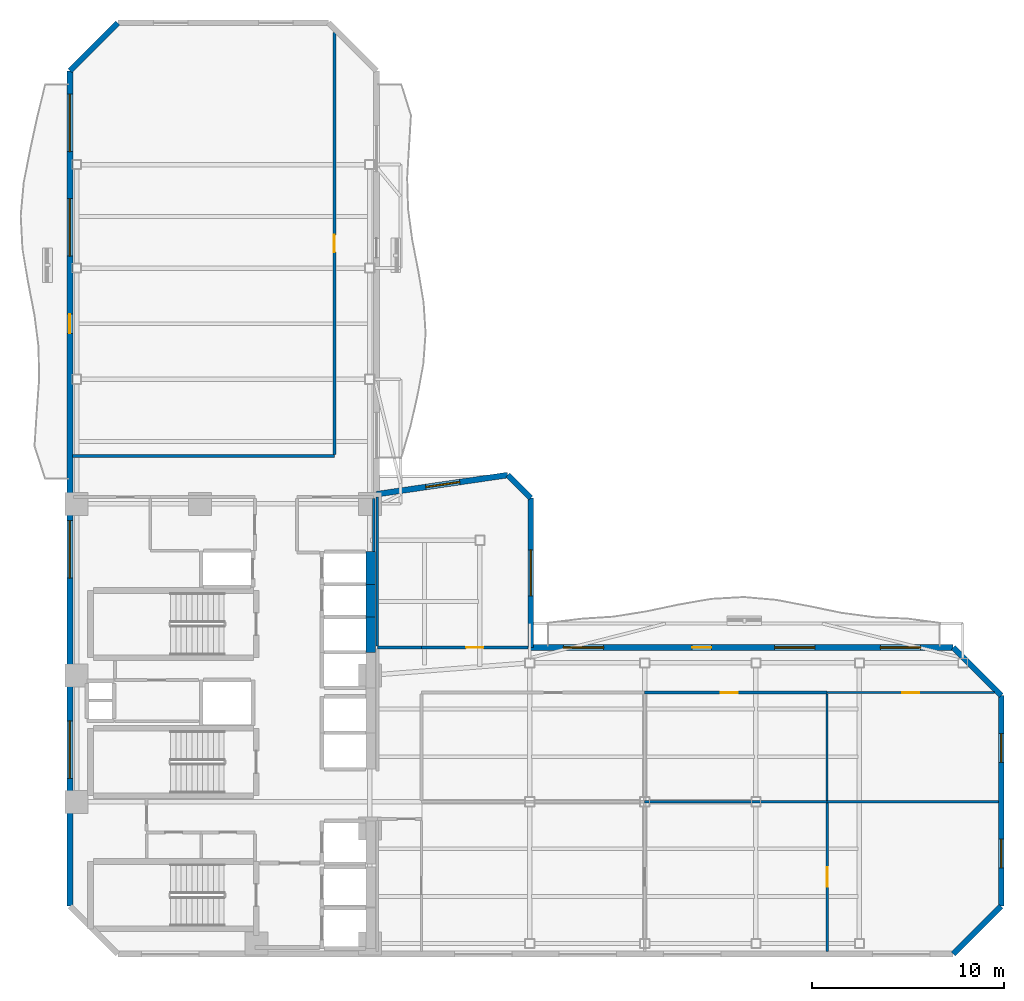
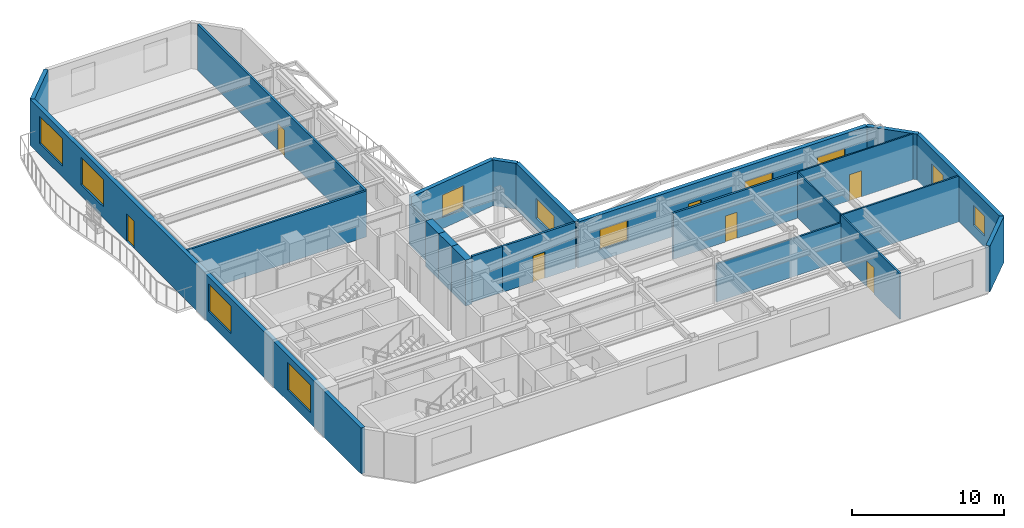
# One storey, part 5 of 9: 24 walls, 11 windows, 7 doors, 18 openings.
"""IFC4 building model written with IfcOpenShell, lengths in metres."""

from ifc_helpers import new_model, si_unit, direction, frame, frame_2d, origin, place, context, subcontext, project, spatial, rectangle, extrude, material, layer, layer_set, type_object, element, fill, save


model = new_model("IFC4")

# Units and contexts
model_context = context("Model", 3, precision=1e-05, world=origin(), true_north=direction((0.0, 1.0)))
body_context = subcontext(model_context, "Body", "Model", "MODEL_VIEW")
ifc_project = project(units=[si_unit("LENGTHUNIT", "METRE"), si_unit("AREAUNIT", "SQUARE_METRE"), si_unit("VOLUMEUNIT", "CUBIC_METRE"), si_unit("PLANEANGLEUNIT", "RADIAN"), si_unit("MASSUNIT", "GRAM", prefix="KILO")], contexts=[model_context])

# Site, building, storey
site_placement = place(None, origin())
site = spatial("IfcSite", under=ifc_project, at=site_placement, CompositionType="ELEMENT")
building_placement = place(site_placement, origin())
building = spatial("IfcBuilding", under=site, at=building_placement, Name="Mawjaban Terraces University", CompositionType="ELEMENT")
storey_placement = place(building_placement, frame((0.0, 0.0, 146.300048828125)))
storey = spatial("IfcBuildingStorey", under=building, at=storey_placement, Name="L35", CompositionType="ELEMENT", Elevation=146.300048828125)

# Walls
ifc_material_1 = material(Name="Concrete C60/75", Category="concrete")
ifc_layer_1 = layer(ifc_material_1, 0.5)
ifc_layer_set_1 = layer_set([ifc_layer_1], Name="Concrete C60/75")
wall_type_1 = type_object("IfcWallType", Name="CoreShearWall_500", PredefinedType="SHEAR", material=ifc_layer_set_1)
wall_1_placement = place(storey_placement, frame((37.699951171875, 15.75, 0.0), z_axis=(0.0, 0.0, 1.0), x_axis=(0.0, 1.0, 0.0)))
element("IfcWall", 1, at=wall_1_placement, inside=storey, type_object=wall_type_1, Name="L35 Lift OL-2 Hoistway Wall East", PredefinedType="SHEAR", context=body_context, shape_type="SweptSolid", body=[
    extrude(rectangle(XDim=1.85009765625, YDim=0.5, at=frame_2d((0.925048828125, 0.0))), origin(), (0.0, 0.0, 1.0), 3.68994140625),
])
for number, where, z_axis, x_axis, name in (
    (2, (37.699951171875, 17.60009765625, 0.0), (0.0, 0.0, 1.0), (0.0, 1.0, 0.0), "L35 Lift PL-M1 Hoistway Wall East"),
    (3, (37.699951171875, 19.300048828125, 0.0), (0.0, 0.0, 1.0), (0.0, 1.0, 0.0), "L35 Lift PL-M2 Hoistway Wall East"),
):
    element("IfcWall", number, at=place(storey_placement, frame(where, z_axis=z_axis, x_axis=x_axis)), inside=storey, type_object=wall_type_1, Name=name, PredefinedType="SHEAR", context=body_context, shape_type="SweptSolid", body=[
        extrude(rectangle(XDim=1.699951171875, YDim=0.5, at=frame_2d((0.85009765625, 0.0))), origin(), (0.0, 0.0, 1.0), 3.68994140625),
    ])
ifc_material_2 = material(Name="Fire-rated gypsum board on steel stud", Category="steel")
ifc_layer_2 = layer(ifc_material_2, 0.159912109375)
ifc_layer_set_2 = layer_set([ifc_layer_2], Name="Fire-rated gypsum board on steel stud")
wall_type_2 = type_object("IfcWallType", Name="CorridorPartition_160", PredefinedType="PARTITIONING", material=ifc_layer_set_2)
wall_2_placement = place(storey_placement, frame((35.800048828125, 26.0, 0.0), z_axis=(0.0, 0.0, 1.0), x_axis=(-1.0, 0.0, 0.0)))
element("IfcWall", 4, at=wall_2_placement, inside=storey, type_object=wall_type_2, Name="L35 North Core Cross-Corridor Partition 11", PredefinedType="PARTITIONING", context=body_context, shape_type="SweptSolid", body=[
    extrude(rectangle(XDim=13.655029296875, YDim=0.159912109375, at=frame_2d((6.82763671875, 0.0))), origin(), (0.0, 0.0, 1.0), 3.68994140625),
])
wall_3_placement = place(storey_placement, frame((40.35009765625, 16.0, 0.0), z_axis=(0.0, 0.0, 1.0), x_axis=(-1.0, 0.0, 0.0)))
element("IfcWall", 5, at=wall_3_placement, inside=storey, type_object=wall_type_2, Name="L35 Inner Gallery Link Corridor Partition 15", PredefinedType="PARTITIONING", context=body_context, shape_type="SweptSolid", body=[
    extrude(rectangle(XDim=2.300048828125, YDim=0.159912109375, at=frame_2d((1.14990234375, 0.0))), origin(), (0.0, 0.0, 1.0), 3.68994140625),
])

# Wall, opening, door
wall_4_placement = place(storey_placement, frame((40.35009765625, 16.0, 0.0), z_axis=(0.0, 0.0, 1.0), x_axis=(1.0, 0.0, 0.0)))
wall_4 = element("IfcWall", 6, at=wall_4_placement, inside=storey, type_object=wall_type_2, Name="L35 Terrace Collaborative Study Room Partition 16", PredefinedType="PARTITIONING", context=body_context, shape_type="SweptSolid", body=[
    extrude(rectangle(XDim=5.55078125, YDim=0.159912109375, at=frame_2d((2.775390625, 0.0))), origin(), (0.0, 0.0, 1.0), 3.68994140625),
])
opening_1_placement = place(wall_4_placement, frame((2.325927734375, 0.0, 0.0)))
opening_1 = element("IfcOpeningElement", 7, at=opening_1_placement, cuts=wall_4, Name="Opening ID-090", PredefinedType="OPENING", context=body_context, shape_type="SweptSolid", body=[
    extrude(rectangle(XDim=0.89990234375, YDim=2.10009765625, at=frame_2d((0.449951171875, 1.050048828125))), frame((0.0, 0.08984375, 0.0), z_axis=(0.0, -1.0, 0.0), x_axis=(1.0, 0.0, 0.0)), (0.0, 0.0, 1.0), 0.179931640625),
])
ifc_material_3 = material(Name="Powder-coated steel frame and solid acoustic timber leaf", Category="steel")
door_type_1 = type_object("IfcDoorType", Name="OfficeDoor_900x2100", OperationType="NOTDEFINED", PredefinedType="DOOR", material=ifc_material_3)
door_1_placement = place(opening_1_placement, origin())
door_1 = element("IfcDoor", 8, at=door_1_placement, inside=storey, type_object=door_type_1, Name="L35 Terrace Collaborative Study Room Door", OperationType="SINGLE_SWING_RIGHT", OverallHeight=2.10009765625, OverallWidth=0.89990234375, PredefinedType="DOOR", context=body_context, shape_type="SweptSolid", body=[
    extrude(rectangle(XDim=0.89990234375, YDim=2.10009765625, at=frame_2d((0.449951171875, 1.050048828125))), frame((0.0, 0.02490234375, 0.0), z_axis=(0.0, -1.0, 0.0), x_axis=(1.0, 0.0, 0.0)), (0.0, 0.0, 1.0), 0.050048828125),
])
fill(opening_1, door_1)

wall_5_placement = place(storey_placement, frame((52.0, 13.64990234375, 0.0), z_axis=(0.0, 0.0, 1.0), x_axis=(1.0, 0.0, 0.0)))
wall_5 = element("IfcWall", 9, at=wall_5_placement, inside=storey, type_object=wall_type_2, Name="L35 Inner Terrace Gallery Corridor East Partition 18", PredefinedType="PARTITIONING", context=body_context, shape_type="SweptSolid", body=[
    extrude(rectangle(XDim=9.52001953125, YDim=0.159912109375, at=frame_2d((4.760009765625, 0.0))), origin(), (0.0, 0.0, 1.0), 3.68994140625),
])
opening_2_placement = place(wall_5_placement, frame((3.9599609375, 0.0, 0.0)))
opening_2 = element("IfcOpeningElement", 10, at=opening_2_placement, cuts=wall_5, Name="Opening ID-090", PredefinedType="OPENING", context=body_context, shape_type="SweptSolid", body=[
    extrude(rectangle(XDim=0.89990234375, YDim=2.10009765625, at=frame_2d((0.449951171875, 1.050048828125))), frame((0.0, 0.08984375, 0.0), z_axis=(0.0, -1.0, 0.0), x_axis=(1.0, 0.0, 0.0)), (0.0, 0.0, 1.0), 0.179931640625),
])
door_2_placement = place(opening_2_placement, origin())
door_2 = element("IfcDoor", 11, at=door_2_placement, inside=storey, type_object=door_type_1, Name="L35 Collaborative Study Room 5 Door", OperationType="SINGLE_SWING_RIGHT", OverallHeight=2.10009765625, OverallWidth=0.89990234375, PredefinedType="DOOR", context=body_context, shape_type="SweptSolid", body=[
    extrude(rectangle(XDim=0.89990234375, YDim=2.10009765625, at=frame_2d((0.449951171875, 1.050048828125))), frame((0.0, 0.02490234375, 0.0), z_axis=(0.0, -1.0, 0.0), x_axis=(1.0, 0.0, 0.0)), (0.0, 0.0, 1.0), 0.050048828125),
])
fill(opening_2, door_2)

wall_6_placement = place(storey_placement, frame((35.800048828125, 48.094970703125, 0.0), z_axis=(0.0, 0.0, 1.0), x_axis=(0.0, -1.0, 0.0)))
wall_6 = element("IfcWall", 12, at=wall_6_placement, inside=storey, type_object=wall_type_2, Name="L35 Inner Terrace Gallery Corridor North Partition 30", PredefinedType="PARTITIONING", context=body_context, shape_type="SweptSolid", body=[
    extrude(rectangle(XDim=22.02001953125, YDim=0.159912109375, at=frame_2d((11.010009765625, 0.0))), origin(), (0.0, 0.0, 1.0), 3.68994140625),
])
opening_3_placement = place(wall_6_placement, frame((10.56005859375, 0.0, 0.0)))
opening_3 = element("IfcOpeningElement", 13, at=opening_3_placement, cuts=wall_6, Name="Opening ID-090", PredefinedType="OPENING", context=body_context, shape_type="SweptSolid", body=[
    extrude(rectangle(XDim=0.89990234375, YDim=2.10009765625, at=frame_2d((0.449951171875, 1.050048828125))), frame((0.0, 0.08984375, 0.0), z_axis=(0.0, -1.0, 0.0), x_axis=(1.0, 0.0, 0.0)), (0.0, 0.0, 1.0), 0.179931640625),
])
door_3_placement = place(opening_3_placement, origin())
door_3 = element("IfcDoor", 14, at=door_3_placement, inside=storey, type_object=door_type_1, Name="L35 Collaborative Study Room 8 Door", OperationType="SINGLE_SWING_LEFT", OverallHeight=2.10009765625, OverallWidth=0.89990234375, PredefinedType="DOOR", context=body_context, shape_type="SweptSolid", body=[
    extrude(rectangle(XDim=0.89990234375, YDim=2.10009765625, at=frame_2d((0.449951171875, 1.050048828125))), frame((0.0, 0.02490234375, 0.0), z_axis=(0.0, -1.0, 0.0), x_axis=(1.0, 0.0, 0.0)), (0.0, 0.0, 1.0), 0.050048828125),
])
fill(opening_3, door_3)

# Wall
ifc_material_4 = material(Name="Insulated terracotta rainscreen on concrete backup C40/50", Category="masonry")
ifc_layer_3 = layer(ifc_material_4, 0.300048828125)
ifc_layer_set_3 = layer_set([ifc_layer_3], Name="Insulated terracotta rainscreen on concrete backup C40/50")
wall_type_3 = type_object("IfcWallType", Name="ExtTerracottaWall_300", PredefinedType="SOLIDWALL", material=ifc_layer_set_3)
wall_7_placement = place(storey_placement, frame((68.10009765625, 0.0, 0.0), z_axis=(0.0, 0.0, 1.0), x_axis=(0.707106781187, 0.707106781187, 0.0)))
element("IfcWall", 15, at=wall_7_placement, inside=storey, type_object=wall_type_3, Name="L35 Exterior Terracotta Wall 2", PredefinedType="SOLIDWALL", context=body_context, shape_type="SweptSolid", body=[
    extrude(rectangle(XDim=3.53564453125, YDim=0.300048828125, at=frame_2d((1.767822265625, 0.0))), origin(), (0.0, 0.0, 1.0), 3.68994140625),
])

# Wall, openings, windows
wall_8_placement = place(storey_placement, frame((70.60009765625, 2.5, 0.0), z_axis=(0.0, 0.0, 1.0), x_axis=(0.0, 1.0, 0.0)))
wall_8 = element("IfcWall", 16, at=wall_8_placement, inside=storey, type_object=wall_type_3, Name="L35 Exterior Terracotta Wall 3", PredefinedType="SOLIDWALL", context=body_context, shape_type="SweptSolid", body=[
    extrude(rectangle(XDim=11.0, YDim=0.300048828125, at=frame_2d((5.5, 0.0))), origin(), (0.0, 0.0, 1.0), 3.68994140625),
])
opening_4_placement = place(wall_8_placement, frame((2.0, 0.0, 0.89990234375)))
opening_4 = element("IfcOpeningElement", 17, at=opening_4_placement, cuts=wall_8, Name="Opening W-02", PredefinedType="OPENING", context=body_context, shape_type="SweptSolid", body=[
    extrude(rectangle(XDim=1.5, YDim=1.60009765625, at=frame_2d((0.75, 0.800048828125))), frame((0.0, 0.159912109375, 0.0), z_axis=(0.0, -1.0, 0.0), x_axis=(1.0, 0.0, 0.0)), (0.0, 0.0, 1.0), 0.320068359375),
])
opening_5_placement = place(wall_8_placement, frame((7.5, 0.0, 0.89990234375)))
opening_5 = element("IfcOpeningElement", 18, at=opening_5_placement, cuts=wall_8, Name="Opening W-02", PredefinedType="OPENING", context=body_context, shape_type="SweptSolid", body=[
    extrude(rectangle(XDim=1.5, YDim=1.60009765625, at=frame_2d((0.75, 0.800048828125))), frame((0.0, 0.159912109375, 0.0), z_axis=(0.0, -1.0, 0.0), x_axis=(1.0, 0.0, 0.0)), (0.0, 0.0, 1.0), 0.320068359375),
])
ifc_material_5 = material(Name="Low-E solar-control double glazing in thermally broken aluminium frame", Category="aluminium")
window_type_1 = type_object("IfcWindowType", Name="Win_1500x1600", PartitioningType="SINGLE_PANEL", PredefinedType="WINDOW", material=ifc_material_5)
window_1_placement = place(opening_4_placement, origin())
window_1 = element("IfcWindow", 19, at=window_1_placement, inside=storey, type_object=window_type_1, Name="L35 Facade Window 3.1", OverallHeight=1.60009765625, OverallWidth=1.5, PartitioningType="SINGLE_PANEL", PredefinedType="WINDOW", context=body_context, shape_type="SweptSolid", body=[
    extrude(rectangle(XDim=1.5, YDim=1.60009765625, at=frame_2d((0.75, 0.800048828125))), frame((0.0, 0.030029296875, 0.0), z_axis=(0.0, -1.0, 0.0), x_axis=(1.0, 0.0, 0.0)), (0.0, 0.0, 1.0), 0.06005859375),
])
fill(opening_4, window_1)
window_2_placement = place(opening_5_placement, origin())
window_2 = element("IfcWindow", 20, at=window_2_placement, inside=storey, type_object=window_type_1, Name="L35 Facade Window 3.2", OverallHeight=1.60009765625, OverallWidth=1.5, PartitioningType="SINGLE_PANEL", PredefinedType="WINDOW", context=body_context, shape_type="SweptSolid", body=[
    extrude(rectangle(XDim=1.5, YDim=1.60009765625, at=frame_2d((0.75, 0.800048828125))), frame((0.0, 0.030029296875, 0.0), z_axis=(0.0, -1.0, 0.0), x_axis=(1.0, 0.0, 0.0)), (0.0, 0.0, 1.0), 0.06005859375),
])
fill(opening_5, window_2)

# Wall
wall_9_placement = place(storey_placement, frame((70.60009765625, 13.5, 0.0), z_axis=(0.0, 0.0, 1.0), x_axis=(-0.707106781187, 0.707106781187, 0.0)))
element("IfcWall", 21, at=wall_9_placement, inside=storey, type_object=wall_type_3, Name="L35 Exterior Terracotta Wall 4", PredefinedType="SOLIDWALL", context=body_context, shape_type="SweptSolid", body=[
    extrude(rectangle(XDim=3.53564453125, YDim=0.300048828125, at=frame_2d((1.767822265625, 0.0))), origin(), (0.0, 0.0, 1.0), 3.68994140625),
])

# Wall, openings, door, windows
wall_10_placement = place(storey_placement, frame((68.10009765625, 16.0, 0.0), z_axis=(0.0, 0.0, 1.0), x_axis=(-1.0, 0.0, 0.0)))
wall_10 = element("IfcWall", 22, at=wall_10_placement, inside=storey, type_object=wall_type_3, Name="L35 Exterior Terracotta Wall 5", PredefinedType="SOLIDWALL", context=body_context, shape_type="SweptSolid", body=[
    extrude(rectangle(XDim=22.05419921875, YDim=0.300048828125, at=frame_2d((11.027099609375, 0.0))), origin(), (0.0, 0.0, 1.0), 3.68994140625),
])
opening_6_placement = place(wall_10_placement, frame((12.626953125, 0.0, 0.0)))
opening_6 = element("IfcOpeningElement", 23, at=opening_6_placement, cuts=wall_10, Name="Opening BD-100", PredefinedType="OPENING", context=body_context, shape_type="SweptSolid", body=[
    extrude(rectangle(XDim=1.0, YDim=2.199951171875, at=frame_2d((0.5, 1.10009765625))), frame((0.0, 0.159912109375, 0.0), z_axis=(0.0, -1.0, 0.0), x_axis=(1.0, 0.0, 0.0)), (0.0, 0.0, 1.0), 0.320068359375),
])
opening_7_placement = place(wall_10_placement, frame((1.70703125, 0.0, 0.89990234375)))
opening_7 = element("IfcOpeningElement", 24, at=opening_7_placement, cuts=wall_10, Name="Opening W-04", PredefinedType="OPENING", context=body_context, shape_type="SweptSolid", body=[
    extrude(rectangle(XDim=2.10009765625, YDim=1.60009765625, at=frame_2d((1.050048828125, 0.800048828125))), frame((0.0, 0.159912109375, 0.0), z_axis=(0.0, -1.0, 0.0), x_axis=(1.0, 0.0, 0.0)), (0.0, 0.0, 1.0), 0.320068359375),
])
opening_8_placement = place(wall_10_placement, frame((7.219970703125, 0.0, 0.89990234375)))
opening_8 = element("IfcOpeningElement", 25, at=opening_8_placement, cuts=wall_10, Name="Opening W-04", PredefinedType="OPENING", context=body_context, shape_type="SweptSolid", body=[
    extrude(rectangle(XDim=2.10009765625, YDim=1.60009765625, at=frame_2d((1.050048828125, 0.800048828125))), frame((0.0, 0.159912109375, 0.0), z_axis=(0.0, -1.0, 0.0), x_axis=(1.0, 0.0, 0.0)), (0.0, 0.0, 1.0), 0.320068359375),
])
opening_9_placement = place(wall_10_placement, frame((18.2470703125, 0.0, 0.89990234375)))
opening_9 = element("IfcOpeningElement", 26, at=opening_9_placement, cuts=wall_10, Name="Opening W-04", PredefinedType="OPENING", context=body_context, shape_type="SweptSolid", body=[
    extrude(rectangle(XDim=2.10009765625, YDim=1.60009765625, at=frame_2d((1.050048828125, 0.800048828125))), frame((0.0, 0.159912109375, 0.0), z_axis=(0.0, -1.0, 0.0), x_axis=(1.0, 0.0, 0.0)), (0.0, 0.0, 1.0), 0.320068359375),
])
ifc_material_6 = material(Name="Thermally broken anodised aluminium and laminated safety glass", Category="aluminium")
door_type_2 = type_object("IfcDoorType", Name="BalconyGlazedDoor_1000x2200", OperationType="NOTDEFINED", PredefinedType="DOOR", material=ifc_material_6)
door_4_placement = place(opening_6_placement, origin())
door_4 = element("IfcDoor", 27, at=door_4_placement, inside=storey, type_object=door_type_2, Name="L35 Balcony Access Door inner_north", OperationType="SINGLE_SWING_RIGHT", OverallHeight=2.199951171875, OverallWidth=1.0, PredefinedType="DOOR", context=body_context, shape_type="SweptSolid", body=[
    extrude(rectangle(XDim=1.0, YDim=2.199951171875, at=frame_2d((0.5, 1.10009765625))), frame((0.0, 0.02490234375, 0.0), z_axis=(0.0, -1.0, 0.0), x_axis=(1.0, 0.0, 0.0)), (0.0, 0.0, 1.0), 0.050048828125),
])
fill(opening_6, door_4)
window_type_2 = type_object("IfcWindowType", Name="Win_2100x1600", PartitioningType="SINGLE_PANEL", PredefinedType="WINDOW", material=ifc_material_5)
window_3_placement = place(opening_7_placement, origin())
window_3 = element("IfcWindow", 28, at=window_3_placement, inside=storey, type_object=window_type_2, Name="L35 Facade Window 5.1", OverallHeight=1.60009765625, OverallWidth=2.10009765625, PartitioningType="SINGLE_PANEL", PredefinedType="WINDOW", context=body_context, shape_type="SweptSolid", body=[
    extrude(rectangle(XDim=2.10009765625, YDim=1.60009765625, at=frame_2d((1.050048828125, 0.800048828125))), frame((0.0, 0.030029296875, 0.0), z_axis=(0.0, -1.0, 0.0), x_axis=(1.0, 0.0, 0.0)), (0.0, 0.0, 1.0), 0.06005859375),
])
fill(opening_7, window_3)
window_4_placement = place(opening_8_placement, origin())
window_4 = element("IfcWindow", 29, at=window_4_placement, inside=storey, type_object=window_type_2, Name="L35 Facade Window 5.2", OverallHeight=1.60009765625, OverallWidth=2.10009765625, PartitioningType="SINGLE_PANEL", PredefinedType="WINDOW", context=body_context, shape_type="SweptSolid", body=[
    extrude(rectangle(XDim=2.10009765625, YDim=1.60009765625, at=frame_2d((1.050048828125, 0.800048828125))), frame((0.0, 0.030029296875, 0.0), z_axis=(0.0, -1.0, 0.0), x_axis=(1.0, 0.0, 0.0)), (0.0, 0.0, 1.0), 0.06005859375),
])
fill(opening_8, window_4)
window_5_placement = place(opening_9_placement, origin())
window_5 = element("IfcWindow", 30, at=window_5_placement, inside=storey, type_object=window_type_2, Name="L35 Facade Window 5.4", OverallHeight=1.60009765625, OverallWidth=2.10009765625, PartitioningType="SINGLE_PANEL", PredefinedType="WINDOW", context=body_context, shape_type="SweptSolid", body=[
    extrude(rectangle(XDim=2.10009765625, YDim=1.60009765625, at=frame_2d((1.050048828125, 0.800048828125))), frame((0.0, 0.030029296875, 0.0), z_axis=(0.0, -1.0, 0.0), x_axis=(1.0, 0.0, 0.0)), (0.0, 0.0, 1.0), 0.06005859375),
])
fill(opening_9, window_5)

# Wall, opening, window
wall_11_placement = place(storey_placement, frame((46.0458984375, 16.0, 0.0), z_axis=(0.0, 0.0, 1.0), x_axis=(0.0, 1.0, 0.0)))
wall_11 = element("IfcWall", 31, at=wall_11_placement, inside=storey, type_object=wall_type_3, Name="L35 Exterior Terracotta Wall 6", PredefinedType="SOLIDWALL", context=body_context, shape_type="SweptSolid", body=[
    extrude(rectangle(XDim=7.800048828125, YDim=0.300048828125, at=frame_2d((3.89990234375, 0.0))), origin(), (0.0, 0.0, 1.0), 3.68994140625),
])
opening_10_placement = place(wall_11_placement, frame((2.699951171875, 0.0, 0.89990234375)))
opening_10 = element("IfcOpeningElement", 32, at=opening_10_placement, cuts=wall_11, Name="Opening W-05", PredefinedType="OPENING", context=body_context, shape_type="SweptSolid", body=[
    extrude(rectangle(XDim=2.39990234375, YDim=1.60009765625, at=frame_2d((1.199951171875, 0.800048828125))), frame((0.0, 0.159912109375, 0.0), z_axis=(0.0, -1.0, 0.0), x_axis=(1.0, 0.0, 0.0)), (0.0, 0.0, 1.0), 0.320068359375),
])
window_type_3 = type_object("IfcWindowType", Name="Win_2400x1600", PartitioningType="SINGLE_PANEL", PredefinedType="WINDOW", material=ifc_material_5)
window_6_placement = place(opening_10_placement, origin())
window_6 = element("IfcWindow", 33, at=window_6_placement, inside=storey, type_object=window_type_3, Name="L35 Facade Window 6.1", OverallHeight=1.60009765625, OverallWidth=2.39990234375, PartitioningType="SINGLE_PANEL", PredefinedType="WINDOW", context=body_context, shape_type="SweptSolid", body=[
    extrude(rectangle(XDim=2.39990234375, YDim=1.60009765625, at=frame_2d((1.199951171875, 0.800048828125))), frame((0.0, 0.030029296875, 0.0), z_axis=(0.0, -1.0, 0.0), x_axis=(1.0, 0.0, 0.0)), (0.0, 0.0, 1.0), 0.06005859375),
])
fill(opening_10, window_6)

# Wall
wall_12_placement = place(storey_placement, frame((46.0458984375, 23.800048828125, 0.0), z_axis=(0.0, 0.0, 1.0), x_axis=(-0.707106781187, 0.707106781187, 0.0)))
element("IfcWall", 34, at=wall_12_placement, inside=storey, type_object=wall_type_3, Name="L35 Exterior Terracotta Wall 7", PredefinedType="SOLIDWALL", context=body_context, shape_type="SweptSolid", body=[
    extrude(rectangle(XDim=1.697021484375, YDim=0.300048828125, at=frame_2d((0.8486328125, 0.0))), origin(), (0.0, 0.0, 1.0), 3.68994140625),
])

# Wall, opening, window
wall_13_placement = place(storey_placement, frame((44.845947265625, 25.0, 0.0), z_axis=(0.0, 0.0, 1.0), x_axis=(-0.989499256162, -0.144537960602, 0.0)))
wall_13 = element("IfcWall", 35, at=wall_13_placement, inside=storey, type_object=wall_type_3, Name="L35 Exterior Terracotta Wall 8", PredefinedType="SOLIDWALL", context=body_context, shape_type="SweptSolid", body=[
    extrude(rectangle(XDim=6.918701171875, YDim=0.300048828125, at=frame_2d((3.45947265625, 0.0))), origin(), (0.0, 0.0, 1.0), 3.68994140625),
])
opening_11_placement = place(wall_13_placement, frame((2.52294921875, 0.0, 0.89990234375)))
opening_11 = element("IfcOpeningElement", 36, at=opening_11_placement, cuts=wall_13, Name="Opening W-07", PredefinedType="OPENING", context=body_context, shape_type="SweptSolid", body=[
    extrude(rectangle(XDim=1.800048828125, YDim=1.800048828125, at=frame_2d((0.89990234375, 0.89990234375))), frame((0.0, 0.159912109375, 0.0), z_axis=(0.0, -1.0, 0.0), x_axis=(1.0, 0.0, 0.0)), (0.0, 0.0, 1.0), 0.320068359375),
])
window_type_4 = type_object("IfcWindowType", Name="Win_1800x1800", PartitioningType="SINGLE_PANEL", PredefinedType="WINDOW", material=ifc_material_5)
window_7_placement = place(opening_11_placement, origin())
window_7 = element("IfcWindow", 37, at=window_7_placement, inside=storey, type_object=window_type_4, Name="L35 Facade Window 8.1", OverallHeight=1.800048828125, OverallWidth=1.800048828125, PartitioningType="SINGLE_PANEL", PredefinedType="WINDOW", context=body_context, shape_type="SweptSolid", body=[
    extrude(rectangle(XDim=1.800048828125, YDim=1.800048828125, at=frame_2d((0.89990234375, 0.89990234375))), frame((0.0, 0.030029296875, 0.0), z_axis=(0.0, -1.0, 0.0), x_axis=(1.0, 0.0, 0.0)), (0.0, 0.0, 1.0), 0.06005859375),
])
fill(opening_11, window_7)

# Wall
wall_14_placement = place(storey_placement, frame((24.5, 48.60009765625, 0.0), z_axis=(0.0, 0.0, 1.0), x_axis=(-0.707106781187, -0.707106781187, 0.0)))
element("IfcWall", 38, at=wall_14_placement, inside=storey, type_object=wall_type_3, Name="L35 Exterior Terracotta Wall 12", PredefinedType="SOLIDWALL", context=body_context, shape_type="SweptSolid", body=[
    extrude(rectangle(XDim=3.53564453125, YDim=0.300048828125, at=frame_2d((1.767822265625, 0.0))), origin(), (0.0, 0.0, 1.0), 3.68994140625),
])

# Wall, openings, door, windows
wall_15_placement = place(storey_placement, frame((22.0, 46.10009765625, 0.0), z_axis=(0.0, 0.0, 1.0), x_axis=(0.0, -1.0, 0.0)))
wall_15 = element("IfcWall", 39, at=wall_15_placement, inside=storey, type_object=wall_type_3, Name="L35 Exterior Terracotta Wall 13", PredefinedType="SOLIDWALL", context=body_context, shape_type="SweptSolid", body=[
    extrude(rectangle(XDim=43.60009765625, YDim=0.300048828125, at=frame_2d((21.800048828125, 0.0))), origin(), (0.0, 0.0, 1.0), 3.68994140625),
])
opening_12_placement = place(wall_15_placement, frame((12.699951171875, 0.0, 0.0)))
opening_12 = element("IfcOpeningElement", 40, at=opening_12_placement, cuts=wall_15, Name="Opening BD-100", PredefinedType="OPENING", context=body_context, shape_type="SweptSolid", body=[
    extrude(rectangle(XDim=1.0, YDim=2.199951171875, at=frame_2d((0.5, 1.10009765625))), frame((0.0, 0.159912109375, 0.0), z_axis=(0.0, -1.0, 0.0), x_axis=(1.0, 0.0, 0.0)), (0.0, 0.0, 1.0), 0.320068359375),
])
opening_13_placement = place(wall_15_placement, frame((1.22509765625, 0.0, 0.89990234375)))
opening_13 = element("IfcOpeningElement", 41, at=opening_13_placement, cuts=wall_15, Name="Opening W-12", PredefinedType="OPENING", context=body_context, shape_type="SweptSolid", body=[
    extrude(rectangle(XDim=3.0, YDim=2.199951171875, at=frame_2d((1.5, 1.10009765625))), frame((0.0, 0.159912109375, 0.0), z_axis=(0.0, -1.0, 0.0), x_axis=(1.0, 0.0, 0.0)), (0.0, 0.0, 1.0), 0.320068359375),
])
opening_14_placement = place(wall_15_placement, frame((6.675048828125, 0.0, 0.89990234375)))
opening_14 = element("IfcOpeningElement", 42, at=opening_14_placement, cuts=wall_15, Name="Opening W-12", PredefinedType="OPENING", context=body_context, shape_type="SweptSolid", body=[
    extrude(rectangle(XDim=3.0, YDim=2.199951171875, at=frame_2d((1.5, 1.10009765625))), frame((0.0, 0.159912109375, 0.0), z_axis=(0.0, -1.0, 0.0), x_axis=(1.0, 0.0, 0.0)), (0.0, 0.0, 1.0), 0.320068359375),
])
opening_15_placement = place(wall_15_placement, frame((23.47509765625, 0.0, 0.89990234375)))
opening_15 = element("IfcOpeningElement", 43, at=opening_15_placement, cuts=wall_15, Name="Opening W-12", PredefinedType="OPENING", context=body_context, shape_type="SweptSolid", body=[
    extrude(rectangle(XDim=3.0, YDim=2.199951171875, at=frame_2d((1.5, 1.10009765625))), frame((0.0, 0.159912109375, 0.0), z_axis=(0.0, -1.0, 0.0), x_axis=(1.0, 0.0, 0.0)), (0.0, 0.0, 1.0), 0.320068359375),
])
opening_16_placement = place(wall_15_placement, frame((33.925048828125, 0.0, 0.89990234375)))
opening_16 = element("IfcOpeningElement", 44, at=opening_16_placement, cuts=wall_15, Name="Opening W-12", PredefinedType="OPENING", context=body_context, shape_type="SweptSolid", body=[
    extrude(rectangle(XDim=3.0, YDim=2.199951171875, at=frame_2d((1.5, 1.10009765625))), frame((0.0, 0.159912109375, 0.0), z_axis=(0.0, -1.0, 0.0), x_axis=(1.0, 0.0, 0.0)), (0.0, 0.0, 1.0), 0.320068359375),
])
door_5_placement = place(opening_12_placement, origin())
door_5 = element("IfcDoor", 45, at=door_5_placement, inside=storey, type_object=door_type_2, Name="L35 Balcony Access Door west", OperationType="SINGLE_SWING_RIGHT", OverallHeight=2.199951171875, OverallWidth=1.0, PredefinedType="DOOR", context=body_context, shape_type="SweptSolid", body=[
    extrude(rectangle(XDim=1.0, YDim=2.199951171875, at=frame_2d((0.5, 1.10009765625))), frame((0.0, 0.02490234375, 0.0), z_axis=(0.0, -1.0, 0.0), x_axis=(1.0, 0.0, 0.0)), (0.0, 0.0, 1.0), 0.050048828125),
])
fill(opening_12, door_5)
window_type_5 = type_object("IfcWindowType", Name="Win_3000x2200", PartitioningType="SINGLE_PANEL", PredefinedType="WINDOW", material=ifc_material_5)
window_8_placement = place(opening_13_placement, origin())
window_8 = element("IfcWindow", 46, at=window_8_placement, inside=storey, type_object=window_type_5, Name="L35 Facade Window 13.1", OverallHeight=2.199951171875, OverallWidth=3.0, PartitioningType="SINGLE_PANEL", PredefinedType="WINDOW", context=body_context, shape_type="SweptSolid", body=[
    extrude(rectangle(XDim=3.0, YDim=2.199951171875, at=frame_2d((1.5, 1.10009765625))), frame((0.0, 0.030029296875, 0.0), z_axis=(0.0, -1.0, 0.0), x_axis=(1.0, 0.0, 0.0)), (0.0, 0.0, 1.0), 0.06005859375),
])
fill(opening_13, window_8)
window_9_placement = place(opening_14_placement, origin())
window_9 = element("IfcWindow", 47, at=window_9_placement, inside=storey, type_object=window_type_5, Name="L35 Facade Window 13.2", OverallHeight=2.199951171875, OverallWidth=3.0, PartitioningType="SINGLE_PANEL", PredefinedType="WINDOW", context=body_context, shape_type="SweptSolid", body=[
    extrude(rectangle(XDim=3.0, YDim=2.199951171875, at=frame_2d((1.5, 1.10009765625))), frame((0.0, 0.030029296875, 0.0), z_axis=(0.0, -1.0, 0.0), x_axis=(1.0, 0.0, 0.0)), (0.0, 0.0, 1.0), 0.06005859375),
])
fill(opening_14, window_9)
window_10_placement = place(opening_15_placement, origin())
window_10 = element("IfcWindow", 48, at=window_10_placement, inside=storey, type_object=window_type_5, Name="L35 Facade Window 13.5", OverallHeight=2.199951171875, OverallWidth=3.0, PartitioningType="SINGLE_PANEL", PredefinedType="WINDOW", context=body_context, shape_type="SweptSolid", body=[
    extrude(rectangle(XDim=3.0, YDim=2.199951171875, at=frame_2d((1.5, 1.10009765625))), frame((0.0, 0.030029296875, 0.0), z_axis=(0.0, -1.0, 0.0), x_axis=(1.0, 0.0, 0.0)), (0.0, 0.0, 1.0), 0.06005859375),
])
fill(opening_15, window_10)
window_11_placement = place(opening_16_placement, origin())
window_11 = element("IfcWindow", 49, at=window_11_placement, inside=storey, type_object=window_type_5, Name="L35 Facade Window 13.7", OverallHeight=2.199951171875, OverallWidth=3.0, PartitioningType="SINGLE_PANEL", PredefinedType="WINDOW", context=body_context, shape_type="SweptSolid", body=[
    extrude(rectangle(XDim=3.0, YDim=2.199951171875, at=frame_2d((1.5, 1.10009765625))), frame((0.0, 0.030029296875, 0.0), z_axis=(0.0, -1.0, 0.0), x_axis=(1.0, 0.0, 0.0)), (0.0, 0.0, 1.0), 0.06005859375),
])
fill(opening_16, window_11)

# Walls
ifc_material_7 = material(Name="Gypsum plasterboard on steel stud", Category="steel")
ifc_layer_4 = layer(ifc_material_7, 0.125)
ifc_layer_set_4 = layer_set([ifc_layer_4], Name="Gypsum plasterboard on steel stud")
wall_type_4 = type_object("IfcWallType", Name="OfficePartition_125", PredefinedType="PARTITIONING", material=ifc_layer_set_4)
wall_16_placement = place(storey_placement, frame((61.52001953125, 7.949951171875, 0.0), z_axis=(0.0, 0.0, 1.0), x_axis=(-1.0, 0.0, 0.0)))
element("IfcWall", 50, at=wall_16_placement, inside=storey, type_object=wall_type_4, Name="L35 Graduate Study Lounge 4 Partition 19", PredefinedType="PARTITIONING", context=body_context, shape_type="SweptSolid", body=[
    extrude(rectangle(XDim=9.52001953125, YDim=0.125, at=frame_2d((4.760009765625, 0.0))), origin(), (0.0, 0.0, 1.0), 3.072998046875),
])
wall_17_placement = place(storey_placement, frame((70.455078125, 7.949951171875, 0.0), z_axis=(0.0, 0.0, 1.0), x_axis=(-1.0, 0.0, 0.0)))
element("IfcWall", 51, at=wall_17_placement, inside=storey, type_object=wall_type_4, Name="L35 Classroom 6 Partition 21", PredefinedType="PARTITIONING", context=body_context, shape_type="SweptSolid", body=[
    extrude(rectangle(XDim=8.93505859375, YDim=0.125, at=frame_2d((4.467529296875, 0.0))), origin(), (0.0, 0.0, 1.0), 3.68994140625),
])
wall_18_placement = place(storey_placement, frame((37.85009765625, 21.0, 0.0), z_axis=(0.0, 0.0, 1.0), x_axis=(0.0, 1.0, 0.0)))
element("IfcWall", 52, at=wall_18_placement, inside=storey, type_object=wall_type_4, Name="L35 Departmental Resource Seminar Room Partition 31", PredefinedType="PARTITIONING", context=body_context, shape_type="SweptSolid", body=[
    extrude(rectangle(XDim=2.77490234375, YDim=0.125, at=frame_2d((1.387451171875, 0.0))), origin(), (0.0, 0.0, 1.0), 3.072998046875),
])
wall_19_placement = place(storey_placement, frame((38.050048828125, 23.861083984375, 0.0), z_axis=(0.0, 0.0, 1.0), x_axis=(0.0, -1.0, 0.0)))
element("IfcWall", 53, at=wall_19_placement, inside=storey, type_object=wall_type_4, Name="L35 Terrace Collaborative Study Room Partition 34", PredefinedType="PARTITIONING", context=body_context, shape_type="SweptSolid", body=[
    extrude(rectangle(XDim=7.7861328125, YDim=0.125, at=frame_2d((3.89306640625, 0.0))), origin(), (0.0, 0.0, 1.0), 3.072998046875),
])

# Wall, opening, door
wall_20_placement = place(storey_placement, frame((61.52001953125, 0.14501953125, 0.0), z_axis=(0.0, 0.0, 1.0), x_axis=(0.0, 1.0, 0.0)))
wall_20 = element("IfcWall", 54, at=wall_20_placement, inside=storey, type_object=wall_type_4, Name="L35 Graduate Study Lounge 4 Partition 39", PredefinedType="PARTITIONING", context=body_context, shape_type="SweptSolid", body=[
    extrude(rectangle(XDim=7.748046875, YDim=0.125, at=frame_2d((3.8740234375, 0.0))), origin(), (0.0, 0.0, 1.0), 3.68994140625),
])
opening_17_placement = place(wall_20_placement, frame((3.3740234375, 0.0, 0.0)))
opening_17 = element("IfcOpeningElement", 55, at=opening_17_placement, cuts=wall_20, Name="Opening ID-100", PredefinedType="OPENING", context=body_context, shape_type="SweptSolid", body=[
    extrude(rectangle(XDim=1.0, YDim=2.10009765625, at=frame_2d((0.5, 1.050048828125))), frame((0.0, 0.072509765625, 0.0), z_axis=(0.0, -1.0, 0.0), x_axis=(1.0, 0.0, 0.0)), (0.0, 0.0, 1.0), 0.14501953125),
])
door_type_3 = type_object("IfcDoorType", Name="ClassroomDoor_1000x2100", OperationType="NOTDEFINED", PredefinedType="DOOR", material=ifc_material_3)
door_6_placement = place(opening_17_placement, origin())
door_6 = element("IfcDoor", 56, at=door_6_placement, inside=storey, type_object=door_type_3, Name="L35 Classroom 6 Door", OperationType="SINGLE_SWING_LEFT", OverallHeight=2.10009765625, OverallWidth=1.0, PredefinedType="DOOR", context=body_context, shape_type="SweptSolid", body=[
    extrude(rectangle(XDim=1.0, YDim=2.10009765625, at=frame_2d((0.5, 1.050048828125))), frame((0.0, 0.02490234375, 0.0), z_axis=(0.0, -1.0, 0.0), x_axis=(1.0, 0.0, 0.0)), (0.0, 0.0, 1.0), 0.050048828125),
])
fill(opening_17, door_6)

ifc_material_8 = material(Name="Acoustic operable panel partition", Category="masonry")
ifc_layer_5 = layer(ifc_material_8, 0.110107421875)
ifc_layer_set_5 = layer_set([ifc_layer_5], Name="Acoustic operable panel partition")
wall_type_5 = type_object("IfcWallType", Name="OperableSeminarWall_110", PredefinedType="MOVABLE", material=ifc_layer_set_5)
wall_21_placement = place(storey_placement, frame((61.52001953125, 13.64990234375, 0.0), z_axis=(0.0, 0.0, 1.0), x_axis=(1.0, 0.0, 0.0)))
wall_21 = element("IfcWall", 57, at=wall_21_placement, inside=storey, type_object=wall_type_5, Name="L35 Inner Terrace Gallery Corridor East Partition 20", PredefinedType="MOVABLE", context=body_context, shape_type="SweptSolid", body=[
    extrude(rectangle(XDim=8.72509765625, YDim=0.110107421875, at=frame_2d((4.362548828125, 0.0))), origin(), (0.0, 0.0, 1.0), 3.68994140625),
])
opening_18_placement = place(wall_21_placement, frame((3.9130859375, 0.0, 0.0)))
opening_18 = element("IfcOpeningElement", 58, at=opening_18_placement, cuts=wall_21, Name="Opening ID-090", PredefinedType="OPENING", context=body_context, shape_type="SweptSolid", body=[
    extrude(rectangle(XDim=0.89990234375, YDim=2.10009765625, at=frame_2d((0.449951171875, 1.050048828125))), frame((0.0, 0.06494140625, 0.0), z_axis=(0.0, -1.0, 0.0), x_axis=(1.0, 0.0, 0.0)), (0.0, 0.0, 1.0), 0.130126953125),
])
door_7_placement = place(opening_18_placement, origin())
door_7 = element("IfcDoor", 59, at=door_7_placement, inside=storey, type_object=door_type_1, Name="L35 Seminar Room 7 Door", OperationType="SINGLE_SWING_RIGHT", OverallHeight=2.10009765625, OverallWidth=0.89990234375, PredefinedType="DOOR", context=body_context, shape_type="SweptSolid", body=[
    extrude(rectangle(XDim=0.89990234375, YDim=2.10009765625, at=frame_2d((0.449951171875, 1.050048828125))), frame((0.0, 0.02490234375, 0.0), z_axis=(0.0, -1.0, 0.0), x_axis=(1.0, 0.0, 0.0)), (0.0, 0.0, 1.0), 0.050048828125),
])
fill(opening_18, door_7)

# Wall
wall_22_placement = place(storey_placement, frame((61.52001953125, 8.008056640625, 0.0), z_axis=(0.0, 0.0, 1.0), x_axis=(0.0, 1.0, 0.0)))
element("IfcWall", 60, at=wall_22_placement, inside=storey, type_object=wall_type_5, Name="L35 Collaborative Study Room 5 Partition 40", PredefinedType="MOVABLE", context=body_context, shape_type="SweptSolid", body=[
    extrude(rectangle(XDim=5.56689453125, YDim=0.110107421875, at=frame_2d((2.783447265625, 0.0))), origin(), (0.0, 0.0, 1.0), 3.68994140625),
])

save(model, "model.ifc")
